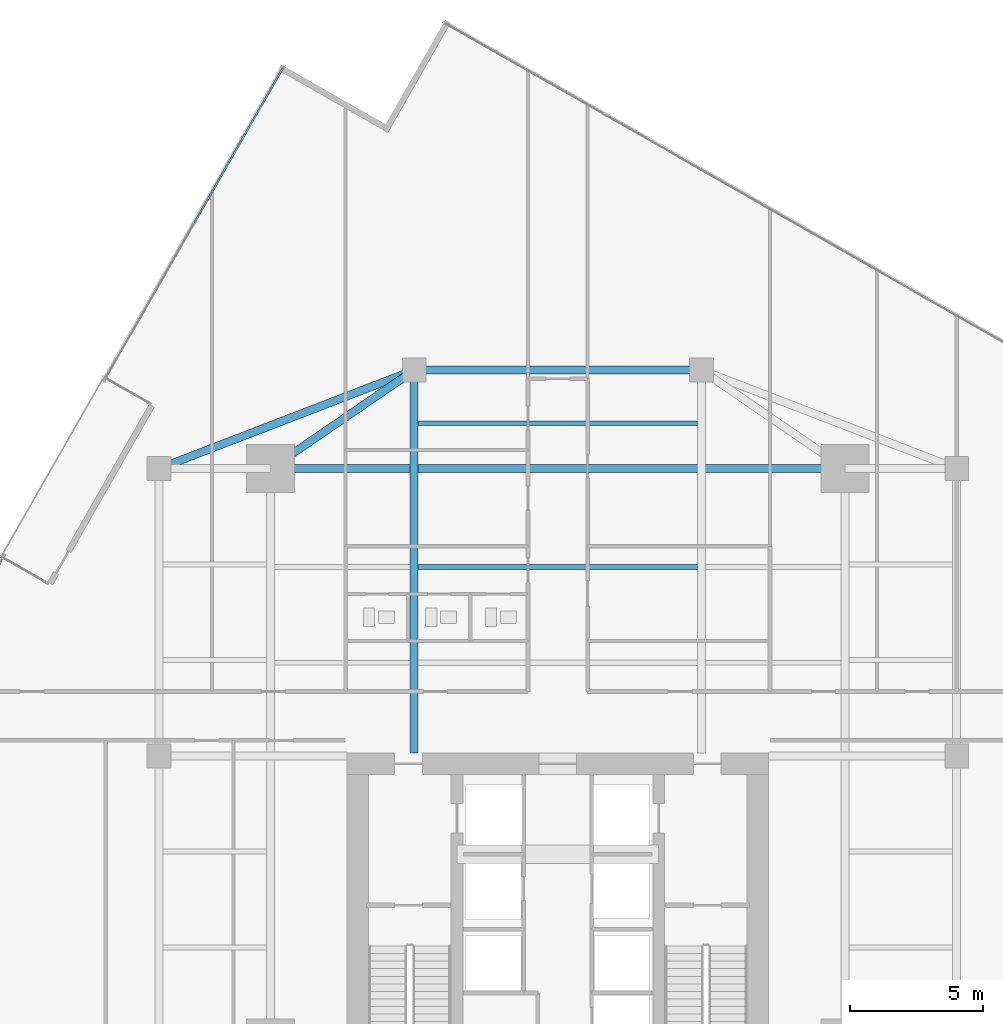
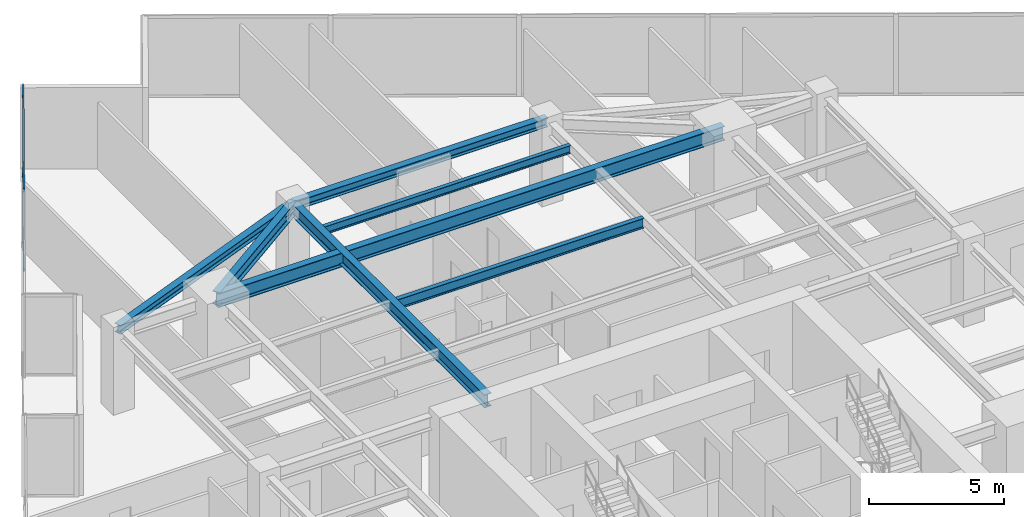
# One storey, part 14 of 24: 7 beams, 2 members, 1 element without a shape of its own.
"""IFC4 building model written with IfcOpenShell, lengths in metres."""

from ifc_helpers import new_model, si_unit, direction, frame, origin, origin_2d, place, context, subcontext, project, spatial, hollow_rectangle, i_section, extrude, source, transform, mapped, material, material_profile, profile_set, type_object, type_shapes, element, aggregate, save


model = new_model("IFC4")

# Units and contexts
model_context = context("Model", 3, precision=1e-05, world=origin(), true_north=direction((0.0, 1.0)))
body_context = subcontext(model_context, "Body", "Model", "MODEL_VIEW")
ifc_project = project(units=[si_unit("LENGTHUNIT", "METRE"), si_unit("AREAUNIT", "SQUARE_METRE"), si_unit("VOLUMEUNIT", "CUBIC_METRE"), si_unit("PLANEANGLEUNIT", "RADIAN"), si_unit("MASSUNIT", "GRAM", prefix="KILO")], contexts=[model_context])

# Site, building, storey
site_placement = place(None, origin())
site = spatial("IfcSite", under=ifc_project, at=site_placement, CompositionType="ELEMENT")
building_placement = place(site_placement, origin())
building = spatial("IfcBuilding", under=site, at=building_placement, Name="Krantzveldt Concourse Tower", CompositionType="ELEMENT")
storey_placement = place(building_placement, frame((0.0, 0.0, 169.89990234375)))
storey = spatial("IfcBuildingStorey", under=building, at=storey_placement, Name="L41", CompositionType="ELEMENT", Elevation=169.89990234375)

# Beams
ifc_material_1 = material(Name="Steel S355JR", Category="steel")
ifc_material_profile_1 = material_profile(ifc_material_1, i_section(OverallWidth=0.300048828125, OverallDepth=0.639892578125, WebThickness=0.013427734375, FlangeThickness=0.02587890625, FilletRadius=0.027099609375, at=origin_2d()), Name="Steel S355JR", Category="steel")
ifc_profile_set_1 = profile_set([ifc_material_profile_1], Name="Steel S355JR - HEA 650")
beam_type_1 = type_object("IfcBeamType", Name="BM-B-HEA650", PredefinedType="BEAM", material=ifc_profile_set_1)
shared_shape_1 = source(origin(), body_context, "Body", "SweptSolid", [
    extrude(i_section(OverallWidth=0.300048828125, OverallDepth=0.639892578125, WebThickness=0.013427734375, FlangeThickness=0.02587890625, FilletRadius=0.027099609375, at=origin_2d()), origin(), (0.0, 0.0, 1.0), 21.60009765625),
])
type_shapes(beam_type_1, [shared_shape_1])
beam_1_placement = place(storey_placement, frame((25.199951171875, 37.5, 3.35009765625), z_axis=(1.0, 0.0, 0.0), x_axis=(0.0, 1.0, 0.0)))
element("IfcBeam", 1, at=beam_1_placement, inside=storey, type_object=beam_type_1, Name="L41 Tower Girder BG-MN", PredefinedType="BEAM", context=body_context, shape_type="MappedRepresentation", body=[
    mapped(shared_shape_1, transform((0.0, 0.0, 0.0), x_axis=(1.0, 0.0, 0.0), y_axis=(0.0, 1.0, 0.0), z_axis=(0.0, 0.0, 1.0), scale=1.0)),
])
ifc_material_profile_2 = material_profile(ifc_material_1, i_section(OverallWidth=0.300048828125, OverallDepth=0.590087890625, WebThickness=0.012939453125, FlangeThickness=0.02490234375, FilletRadius=0.027099609375, at=origin_2d()), Name="Steel S355JR", Category="steel")
ifc_profile_set_2 = profile_set([ifc_material_profile_2], Name="Steel S355JR - HEA 600")
beam_type_2 = type_object("IfcBeamType", Name="BM-B-HEA600", PredefinedType="BEAM", material=ifc_profile_set_2)
shared_shape_2 = source(origin(), body_context, "Body", "SweptSolid", [
    extrude(i_section(OverallWidth=0.300048828125, OverallDepth=0.590087890625, WebThickness=0.012939453125, FlangeThickness=0.02490234375, FilletRadius=0.027099609375, at=origin_2d()), origin(), (0.0, 0.0, 1.0), 14.39990234375),
])
beam_2_placement = place(storey_placement, frame((30.60009765625, 26.800048828125, 3.375), z_axis=(0.0, 1.0, 0.0), x_axis=(-1.0, 0.0, 0.0)))
element("IfcBeam", 2, at=beam_2_placement, inside=storey, type_object=beam_type_2, Name="L41 Tower Girder BG-CNW", PredefinedType="BEAM", context=body_context, shape_type="MappedRepresentation", body=[
    mapped(shared_shape_2, transform((0.0, 0.0, 0.0), x_axis=(1.0, 0.0, 0.0), y_axis=(0.0, 1.0, 0.0), z_axis=(0.0, 0.0, 1.0), scale=1.0)),
])
shared_shape_3 = source(origin(), body_context, "Body", "SweptSolid", [
    extrude(i_section(OverallWidth=0.300048828125, OverallDepth=0.590087890625, WebThickness=0.012939453125, FlangeThickness=0.02490234375, FilletRadius=0.027099609375, at=origin_2d()), origin(), (0.0, 0.0, 1.0), 6.546142578125),
])
type_shapes(beam_type_2, [shared_shape_2, shared_shape_3])
beam_3_placement = place(storey_placement, frame((25.199951171875, 37.5, 3.375), z_axis=(0.824942999484, 0.565215930068, 0.0), x_axis=(-0.565215930068, 0.824942999484, 0.0)))
element("IfcBeam", 3, at=beam_3_placement, inside=storey, type_object=beam_type_2, Name="L41 Tower Girder BR-RL4", PredefinedType="BEAM", context=body_context, shape_type="MappedRepresentation", body=[
    mapped(shared_shape_3, transform((0.0, 0.0, 0.0), x_axis=(1.0, 0.0, 0.0), y_axis=(0.0, 1.0, 0.0), z_axis=(0.0, 0.0, 1.0), scale=1.0)),
])
ifc_material_profile_3 = material_profile(ifc_material_1, i_section(OverallWidth=0.18994140625, OverallDepth=0.449951171875, WebThickness=0.009521484375, FlangeThickness=0.0146484375, FilletRadius=0.02099609375, at=origin_2d()), Name="Steel S355JR", Category="steel")
ifc_profile_set_3 = profile_set([ifc_material_profile_3], Name="Steel S355JR - IPE 450")
beam_type_3 = type_object("IfcBeamType", Name="BM-J-IPE450", PredefinedType="JOIST", material=ifc_profile_set_3)
shared_shape_4 = source(origin(), body_context, "Body", "SweptSolid", [
    extrude(i_section(OverallWidth=0.18994140625, OverallDepth=0.449951171875, WebThickness=0.009521484375, FlangeThickness=0.0146484375, FilletRadius=0.02099609375, at=origin_2d()), origin(), (0.0, 0.0, 1.0), 10.5),
])
type_shapes(beam_type_3, [shared_shape_4])
beam_4_placement = place(storey_placement, frame((30.75, 33.800048828125, 3.445068359375), z_axis=(1.0, 0.0, 0.0), x_axis=(0.0, 1.0, 0.0)))
element("IfcBeam", 4, at=beam_4_placement, inside=storey, type_object=beam_type_3, Name="L41 Secondary Floor Joist JN-C2", PredefinedType="JOIST", context=body_context, shape_type="MappedRepresentation", body=[
    mapped(shared_shape_4, transform((0.0, 0.0, 0.0), x_axis=(1.0, 0.0, 0.0), y_axis=(0.0, 1.0, 0.0), z_axis=(0.0, 0.0, 1.0), scale=1.0)),
])
ifc_material_profile_4 = material_profile(ifc_material_1, i_section(OverallWidth=0.300048828125, OverallDepth=0.389892578125, WebThickness=0.010986328125, FlangeThickness=0.01904296875, FilletRadius=0.027099609375, at=origin_2d()), Name="Steel S355JR", Category="steel")
ifc_profile_set_4 = profile_set([ifc_material_profile_4], Name="Steel S355JR - HEA 400")
beam_type_4 = type_object("IfcBeamType", Name="BM-SP-HEA400", PredefinedType="SPANDREL", material=ifc_profile_set_4)
shared_shape_5 = source(origin(), body_context, "Body", "SweptSolid", [
    extrude(i_section(OverallWidth=0.300048828125, OverallDepth=0.389892578125, WebThickness=0.010986328125, FlangeThickness=0.01904296875, FilletRadius=0.027099609375, at=origin_2d()), origin(), (0.0, 0.0, 1.0), 10.288330078125),
])
beam_5_placement = place(storey_placement, frame((21.0, 37.5, 3.47509765625), z_axis=(0.933097690408, 0.359622997257, 0.0), x_axis=(-0.359622997257, 0.933097690408, 0.0)))
element("IfcBeam", 5, at=beam_5_placement, inside=storey, type_object=beam_type_4, Name="L41 Tower Girder SP-R03", PredefinedType="SPANDREL", context=body_context, shape_type="MappedRepresentation", body=[
    mapped(shared_shape_5, transform((0.0, 0.0, 0.0), x_axis=(1.0, 0.0, 0.0), y_axis=(0.0, 1.0, 0.0), z_axis=(0.0, 0.0, 1.0), scale=1.0)),
])
shared_shape_6 = source(origin(), body_context, "Body", "SweptSolid", [
    extrude(i_section(OverallWidth=0.300048828125, OverallDepth=0.389892578125, WebThickness=0.010986328125, FlangeThickness=0.01904296875, FilletRadius=0.027099609375, at=origin_2d()), origin(), (0.0, 0.0, 1.0), 10.7998046875),
])
type_shapes(beam_type_4, [shared_shape_5, shared_shape_6])
beam_6_placement = place(storey_placement, frame((30.60009765625, 41.199951171875, 3.47509765625), z_axis=(1.0, 0.0, 0.0), x_axis=(0.0, 1.0, 0.0)))
element("IfcBeam", 6, at=beam_6_placement, inside=storey, type_object=beam_type_4, Name="L41 Tower Girder SP-R04", PredefinedType="SPANDREL", context=body_context, shape_type="MappedRepresentation", body=[
    mapped(shared_shape_6, transform((0.0, 0.0, 0.0), x_axis=(1.0, 0.0, 0.0), y_axis=(0.0, 1.0, 0.0), z_axis=(0.0, 0.0, 1.0), scale=1.0)),
])
ifc_material_profile_5 = material_profile(ifc_material_1, i_section(OverallWidth=0.169921875, OverallDepth=0.360107421875, WebThickness=0.008056640625, FlangeThickness=0.0126953125, FilletRadius=0.01806640625, at=origin_2d()), Name="Steel S355JR", Category="steel")
ifc_profile_set_5 = profile_set([ifc_material_profile_5], Name="Steel S355JR - IPE 360")
beam_type_5 = type_object("IfcBeamType", Name="BM-J-IPE360", PredefinedType="JOIST", material=ifc_profile_set_5)
shared_shape_7 = source(origin(), body_context, "Body", "SweptSolid", [
    extrude(i_section(OverallWidth=0.169921875, OverallDepth=0.360107421875, WebThickness=0.008056640625, FlangeThickness=0.0126953125, FilletRadius=0.01806640625, at=origin_2d()), origin(), (0.0, 0.0, 1.0), 10.5),
])
type_shapes(beam_type_5, [shared_shape_7])
beam_7_placement = place(storey_placement, frame((30.75, 39.199951171875, 3.489990234375), z_axis=(1.0, 0.0, 0.0), x_axis=(0.0, 1.0, 0.0)))
element("IfcBeam", 7, at=beam_7_placement, inside=storey, type_object=beam_type_5, Name="L41 Secondary Floor Joist JN-C3", PredefinedType="JOIST", context=body_context, shape_type="MappedRepresentation", body=[
    mapped(shared_shape_7, transform((0.0, 0.0, 0.0), x_axis=(1.0, 0.0, 0.0), y_axis=(0.0, 1.0, 0.0), z_axis=(0.0, 0.0, 1.0), scale=1.0)),
])

# Curtain wall, members
ifc_material_2 = material(Name="Anodised aluminium 6063-T6", Category="aluminium")
curtain_wall_type = type_object("IfcCurtainWallType", Name="CW3", PredefinedType="USERDEFINED", material=ifc_material_2)
curtain_wall_placement = place(storey_placement, origin())
curtain_wall = element("IfcCurtainWall", 8, at=curtain_wall_placement, inside=storey, type_object=curtain_wall_type, Name="CW-L41-F01", ObjectType="UNITISED CURTAIN WALL", PredefinedType="USERDEFINED")
ifc_material_profile_6 = material_profile(ifc_material_2, hollow_rectangle(XDim=0.070068359375, YDim=0.139892578125, WallThickness=0.0048828125, at=origin_2d()), Name="Anodised aluminium 6063-T6", Category="aluminium")
ifc_profile_set_6 = profile_set([ifc_material_profile_6], Name="Anodised aluminium 6063-T6 - ALU-TRAN 140x70x5")
member_type = type_object("IfcMemberType", Name="CW-TRN-150", PredefinedType="USERDEFINED", material=ifc_profile_set_6)
shared_shape_8 = source(origin(), body_context, "Body", "SweptSolid", [
    extrude(hollow_rectangle(XDim=0.070068359375, YDim=0.139892578125, WallThickness=0.0048828125, at=origin_2d()), origin(), (0.0, 0.0, 1.0), 6.695068359375),
])
type_shapes(member_type, [shared_shape_8])
member_1_placement = place(storey_placement, frame((25.6640625, 52.568359375, 0.03515625), z_axis=(-0.496233186751, -0.868189279113, 0.0), x_axis=(0.868189279113, -0.496233186751, 0.0)))
member_1 = element("IfcMember", 9, at=member_1_placement, type_object=member_type, Name="CW-Z34 transom 1.1", ObjectType="TRANSOM", PredefinedType="USERDEFINED", context=body_context, shape_type="MappedRepresentation", body=[
    mapped(shared_shape_8, transform((0.0, 0.0, 0.0), x_axis=(1.0, 0.0, 0.0), y_axis=(0.0, 1.0, 0.0), z_axis=(0.0, 0.0, 1.0), scale=1.0)),
])
member_2_placement = place(storey_placement, frame((25.6640625, 52.568359375, 3.635009765625), z_axis=(-0.496233186751, -0.868189279113, 0.0), x_axis=(0.868189279113, -0.496233186751, 0.0)))
member_2 = element("IfcMember", 10, at=member_2_placement, type_object=member_type, Name="CW-Z34 transom 1.2", ObjectType="TRANSOM", PredefinedType="USERDEFINED", context=body_context, shape_type="MappedRepresentation", body=[
    mapped(shared_shape_8, transform((0.0, 0.0, 0.0), x_axis=(1.0, 0.0, 0.0), y_axis=(0.0, 1.0, 0.0), z_axis=(0.0, 0.0, 1.0), scale=1.0)),
])
aggregate(curtain_wall, [member_1, member_2])

save(model, "model.ifc")
